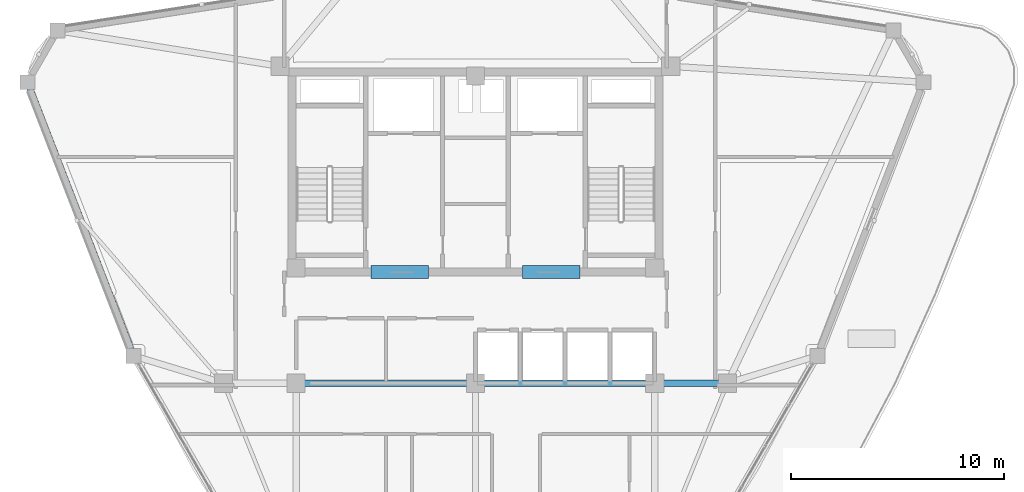
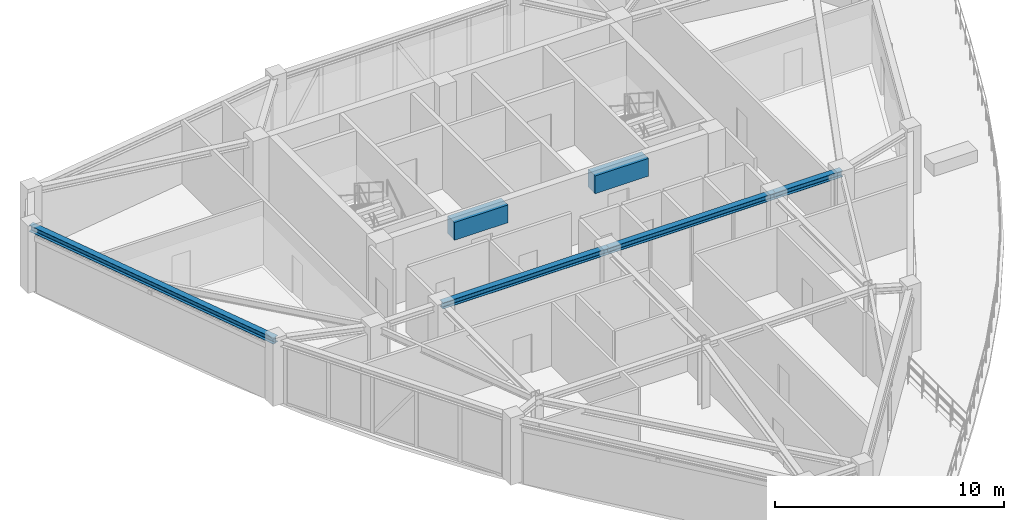
# One storey, part 6 of 16: 6 beams.
"""IFC4 building model written with IfcOpenShell, lengths in metres."""

from ifc_helpers import new_model, si_unit, derived_unit, direction, frame, origin, origin_2d, place, context, subcontext, project, spatial, rectangle, i_section, extrude, source, transform, mapped, material, material_profile, profile_set, type_object, element, save


model = new_model("IFC4")

# Units and contexts
model_context = context("Model", 3, precision=1e-05, world=origin(), true_north=direction((0.0, 1.0)))
body_context = subcontext(model_context, "Body", "Model", "MODEL_VIEW")
ifc_project = project(units=[si_unit("LENGTHUNIT", "METRE"), si_unit("AREAUNIT", "SQUARE_METRE"), si_unit("VOLUMEUNIT", "CUBIC_METRE"), si_unit("PLANEANGLEUNIT", "RADIAN"), si_unit("MASSUNIT", "GRAM", prefix="KILO"), derived_unit("THERMALTRANSMITTANCEUNIT", [(si_unit("POWERUNIT", "WATT"), 1), (si_unit("LENGTHUNIT", "METRE"), -2), (si_unit("THERMODYNAMICTEMPERATUREUNIT", "KELVIN"), -1)])], contexts=[model_context])

# Site, building, storey
site_placement = place(None, origin())
site = spatial("IfcSite", under=ifc_project, at=site_placement, CompositionType="ELEMENT")
building_placement = place(site_placement, origin())
building = spatial("IfcBuilding", under=site, at=building_placement, Name="Korsvarv Bourse and Concert Hall", CompositionType="ELEMENT")
storey_placement = place(building_placement, frame((0.0, 0.0, 243.0)))
storey = spatial("IfcBuildingStorey", under=building, at=storey_placement, Name="L63", CompositionType="ELEMENT", Elevation=243.0)

# Beams
ifc_material_1 = material(Name="Concrete C55/67", Category="concrete")
ifc_material_profile_1 = material_profile(ifc_material_1, rectangle(XDim=0.60009765625, YDim=0.949951171875, at=origin_2d()), Name="RC-BM 600x950")
ifc_profile_set_1 = profile_set([ifc_material_profile_1], Name="Concrete C55/67")
beam_type_1 = type_object("IfcBeamType", Name="BM-CPL", PredefinedType="LINTEL", material=ifc_profile_set_1)
shared_shape_1 = source(origin(), body_context, "Body", "SweptSolid", [
    extrude(rectangle(XDim=0.60009765625, YDim=0.949951171875, at=origin_2d()), origin(), (0.0, 0.0, 1.0), 2.699951171875),
])
for number, where, z_axis, x_axis, name in (
    (1, (31.10009765625, 37.610107421875, 2.93505859375), (1.0, 0.0, 0.0), (0.0, 1.0, 0.0), "L63 Core Coupling Beam West"),
    (2, (38.199951171875, 37.610107421875, 2.93505859375), (1.0, 0.0, 0.0), (0.0, 1.0, 0.0), "L63 Core Coupling Beam East"),
):
    element("IfcBeam", number, at=place(storey_placement, frame(where, z_axis=z_axis, x_axis=x_axis)), inside=storey, type_object=beam_type_1, Name=name, PredefinedType="LINTEL", context=body_context, shape_type="MappedRepresentation", body=[
        mapped(shared_shape_1, transform((0.0, 0.0, 0.0), scale=1.0)),
    ])
ifc_material_2 = material(Name="Steel S355", Category="steel")
ifc_material_profile_2 = material_profile(ifc_material_2, i_section(OverallWidth=0.300048828125, OverallDepth=0.330078125, WebThickness=0.009521484375, FlangeThickness=0.0166015625, FilletRadius=0.02099609375, at=origin_2d()), Name="HEA 340")
ifc_profile_set_2 = profile_set([ifc_material_profile_2], Name="Steel S355")
beam_type_2 = type_object("IfcBeamType", Name="BM-HEA340", PredefinedType="BEAM", material=ifc_profile_set_2)
shared_shape_2 = source(origin(), body_context, "Body", "SweptSolid", [
    extrude(i_section(OverallWidth=0.300048828125, OverallDepth=0.330078125, WebThickness=0.009521484375, FlangeThickness=0.0166015625, FilletRadius=0.02099609375, at=origin_2d()), origin(), (0.0, 0.0, 1.0), 3.400146484375),
])
beam_1_placement = place(storey_placement, frame((44.39990234375, 32.39990234375, 3.2451171875), z_axis=(1.0, 0.0, 0.0), x_axis=(0.0, 1.0, 0.0)))
element("IfcBeam", 3, at=beam_1_placement, inside=storey, type_object=beam_type_2, Name="L63 beam B-12", PredefinedType="BEAM", context=body_context, shape_type="MappedRepresentation", body=[
    mapped(shared_shape_2, transform((0.0, 0.0, 0.0), scale=1.0)),
])
shared_shape_3 = source(origin(), body_context, "Body", "SweptSolid", [
    extrude(i_section(OverallWidth=0.300048828125, OverallDepth=0.330078125, WebThickness=0.009521484375, FlangeThickness=0.0166015625, FilletRadius=0.02099609375, at=origin_2d()), origin(), (0.0, 0.0, 1.0), 8.39990234375),
])
for number, where, z_axis, x_axis, name in (
    (4, (27.60009765625, 32.39990234375, 3.2451171875), (1.0, 0.0, 0.0), (0.0, 1.0, 0.0), "L63 beam B-12"),
    (5, (36.0, 32.39990234375, 3.2451171875), (1.0, 0.0, 0.0), (0.0, 1.0, 0.0), "L63 beam B-12"),
):
    element("IfcBeam", number, at=place(storey_placement, frame(where, z_axis=z_axis, x_axis=x_axis)), inside=storey, type_object=beam_type_2, Name=name, PredefinedType="BEAM", context=body_context, shape_type="MappedRepresentation", body=[
        mapped(shared_shape_3, transform((0.0, 0.0, 0.0), scale=1.0)),
    ])
shared_shape_4 = source(origin(), body_context, "Body", "SweptSolid", [
    extrude(i_section(OverallWidth=0.300048828125, OverallDepth=0.330078125, WebThickness=0.009521484375, FlangeThickness=0.0166015625, FilletRadius=0.02099609375, at=origin_2d()), origin(), (0.0, 0.0, 1.0), 13.74853515625),
])
beam_2_placement = place(storey_placement, frame((15.01220703125, 46.503662109375, 3.2451171875), z_axis=(0.361259117053, -0.932465468715, 0.0), x_axis=(0.932465468715, 0.361259117053, 0.0)))
element("IfcBeam", 6, at=beam_2_placement, inside=storey, type_object=beam_type_2, Name="L63 beam B-12", PredefinedType="BEAM", context=body_context, shape_type="MappedRepresentation", body=[
    mapped(shared_shape_4, transform((0.0, 0.0, 0.0), scale=1.0)),
])

save(model, "model.ifc")
